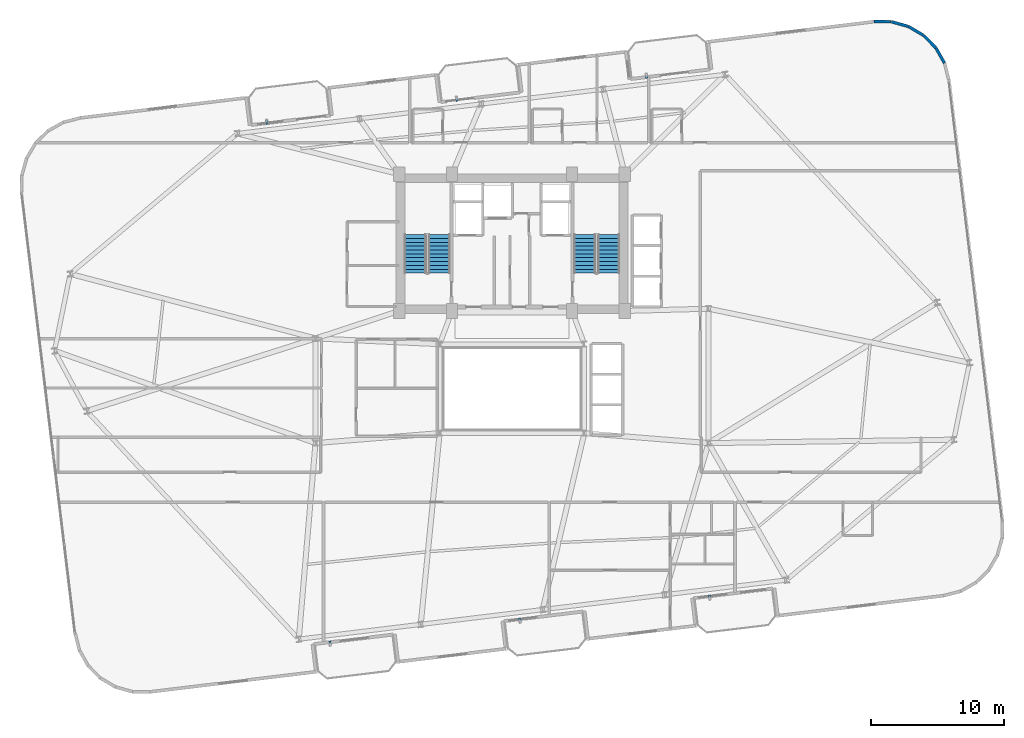
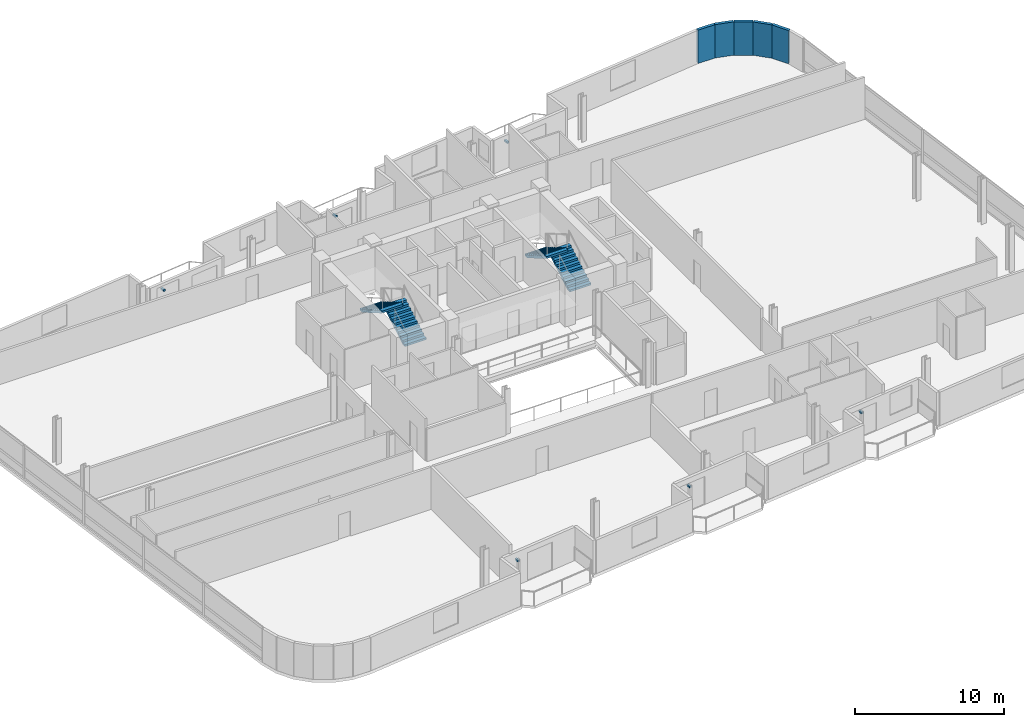
# One storey, part 18 of 22: 6 discrete accessories, 5 walls, 4 stair flights, 2 elements without a shape of their own.
"""IFC4 building model written with IfcOpenShell, lengths in metres."""

import ifcopenshell
import ifcopenshell.guid

model = None  # the IFC model being written
_history = None  # IfcOwnerHistory: only IFC2X3 demands one
_inside = {}  # id of a spatial element -> (the spatial element, [elements in it])
_under = {}  # id of a project, library or spatial element -> (it, [spatial elements below it])
_declared = {}  # id of a project -> (the project, [libraries it declares])
_typed = {}  # id of a type object -> (the type object, [elements of that type])
_made_of = {}  # id of a material, layer set ... -> (it, [elements and type objects made of it])


def new_model(schema):
    """Start an empty IFC model of exactly this schema.

    Asked for "IFC4X3", IfcOpenShell would pick the latest addendum, in which some entities
    have other attributes; the version numbers below select the first issue.
    IFC2X3 requires an IfcOwnerHistory on every rooted entity: one is made here for all.
    """
    global model, _history
    if schema == "IFC4X3":
        model = ifcopenshell.file(schema_version=(4, 3, 0, 0))
    else:
        model = ifcopenshell.file(schema=schema)
    _inside.clear()
    _under.clear()
    _declared.clear()
    _typed.clear()
    _made_of.clear()
    _history = None
    if model.schema == "IFC2X3":
        org = make("IfcOrganization", Name="unknown")
        user = make(
            "IfcPersonAndOrganization",
            ThePerson=make("IfcPerson", FamilyName="unknown"),
            TheOrganization=org,
        )
        app = make(
            "IfcApplication",
            ApplicationDeveloper=org,
            Version="unknown",
            ApplicationFullName="unknown",
            ApplicationIdentifier="unknown",
        )
        _history = make(
            "IfcOwnerHistory",
            OwningUser=user,
            OwningApplication=app,
            ChangeAction="ADDED",
            CreationDate=0,
        )
    return model


def make(cls, **values):
    """One entity of the class cls with the attributes given. An attribute that is None is left unset."""
    return model.create_entity(
        cls, **{name: value for name, value in values.items() if value is not None}
    )


def rooted(cls, **values):
    """An entity with a GlobalId (a new one), such as an element, a storey or a relation."""
    return make(cls, GlobalId=ifcopenshell.guid.new(), OwnerHistory=_history, **values)


def si_unit(unit_type, name, prefix=None):
    """IfcSIUnit, for example si_unit("LENGTHUNIT", "METRE", prefix="MILLI")."""
    return make("IfcSIUnit", UnitType=unit_type, Prefix=prefix, Name=name)


def assignment(units):
    """IfcUnitAssignment: the units of a project."""
    return None if units is None else make("IfcUnitAssignment", Units=units)


def point(xyz):
    """IfcCartesianPoint."""
    return None if xyz is None else make("IfcCartesianPoint", Coordinates=xyz)


def direction(xyz):
    """IfcDirection."""
    return None if xyz is None else make("IfcDirection", DirectionRatios=xyz)


def frame(location, z_axis=None, x_axis=None):
    """IfcAxis2Placement3D, a coordinate frame: its origin and axes. An axis left out is left unset."""
    return make(
        "IfcAxis2Placement3D",
        Location=point(location),
        Axis=direction(z_axis),
        RefDirection=direction(x_axis),
    )


def frame_2d(location, x_axis=None):
    """IfcAxis2Placement2D, a coordinate frame in the plane: its origin and x axis."""
    return make(
        "IfcAxis2Placement2D", Location=point(location), RefDirection=direction(x_axis)
    )


def origin():
    """The frame at (0, 0, 0) with its axes left unset."""
    return frame((0.0, 0.0, 0.0))


def origin_2d():
    """The frame at (0, 0) in the plane with its x axis left unset."""
    return frame_2d((0.0, 0.0))


def place(relative_to, where):
    """IfcLocalPlacement: puts the frame where relative to a parent placement (None: the world)."""
    return make(
        "IfcLocalPlacement", PlacementRelTo=relative_to, RelativePlacement=where
    )


def context(
    kind, dimensions, precision=None, world=None, true_north=None, identifier=None
):
    """IfcGeometricRepresentationContext, for example the 3D "Model" context."""
    return make(
        "IfcGeometricRepresentationContext",
        ContextIdentifier=identifier,
        ContextType=kind,
        CoordinateSpaceDimension=dimensions,
        Precision=precision,
        WorldCoordinateSystem=world,
        TrueNorth=true_north,
    )


def subcontext(parent, identifier, kind, view, scale=None):
    """IfcGeometricRepresentationSubContext, for example "Body" below "Model"."""
    return make(
        "IfcGeometricRepresentationSubContext",
        ContextIdentifier=identifier,
        ContextType=kind,
        ParentContext=parent,
        TargetScale=scale,
        TargetView=view,
    )


def project(units=None, contexts=None):
    """IfcProject with its units and contexts."""
    return rooted(
        "IfcProject",
        Name="project",
        RepresentationContexts=contexts,
        UnitsInContext=assignment(units),
    )


def spatial(cls, under=None, at=None, **own):
    """A site, building, storey or space (cls), placed at a placement, below another one or the project."""
    s = rooted(cls, ObjectPlacement=at, **own)
    if under is not None:
        _under.setdefault(under.id(), (under, []))[1].append(s)
    return s


def polyline(points):
    """IfcPolyline through the points."""
    return make("IfcPolyline", Points=[point(p) for p in points])


def profile(cls, at=None, kind="AREA", **sizes):
    """A parametric profile (cls). Its sizes go by their IFC names, for example OverallWidth=200.0."""
    return make(cls, ProfileType=kind, Position=at, **sizes)


def rectangle(**sizes):
    """IfcRectangleProfileDef."""
    return profile("IfcRectangleProfileDef", **sizes)


def outline(outer, holes=None, kind="AREA"):
    """IfcArbitraryClosedProfileDef: a profile drawn as a closed curve; with holes, ...WithVoids."""
    if holes is None:
        return make("IfcArbitraryClosedProfileDef", ProfileType=kind, OuterCurve=outer)
    return make(
        "IfcArbitraryProfileDefWithVoids",
        ProfileType=kind,
        OuterCurve=outer,
        InnerCurves=holes,
    )


def extrude(swept, where, along, depth):
    """IfcExtrudedAreaSolid: the profile swept, set in the frame where, extruded along a direction by depth."""
    return make(
        "IfcExtrudedAreaSolid",
        SweptArea=swept,
        Position=where,
        ExtrudedDirection=direction(along),
        Depth=depth,
    )


def shape(context_of_items, identifier, shape_type, items):
    """IfcShapeRepresentation: the items that make up one representation, for example the "Body"."""
    return make(
        "IfcShapeRepresentation",
        ContextOfItems=context_of_items,
        RepresentationIdentifier=identifier,
        RepresentationType=shape_type,
        Items=items,
    )


def source(mapping_origin, context_of_items, identifier, shape_type, items):
    """IfcRepresentationMap: a shape defined once, which mapped items show again and again."""
    return make(
        "IfcRepresentationMap",
        MappingOrigin=mapping_origin,
        MappedRepresentation=shape(context_of_items, identifier, shape_type, items),
    )


def transform(
    local_origin,
    x_axis=None,
    y_axis=None,
    z_axis=None,
    scale=None,
    scale2=None,
    scale3=None,
    uniform=True,
):
    """IfcCartesianTransformationOperator3D, or its non-uniform kind. x_axis, y_axis, z_axis: its Axis1, 2, 3."""
    if uniform:
        return make(
            "IfcCartesianTransformationOperator3D",
            Axis1=direction(x_axis),
            Axis2=direction(y_axis),
            LocalOrigin=point(local_origin),
            Scale=scale,
            Axis3=direction(z_axis),
        )
    return make(
        "IfcCartesianTransformationOperator3DnonUniform",
        Axis1=direction(x_axis),
        Axis2=direction(y_axis),
        LocalOrigin=point(local_origin),
        Scale=scale,
        Axis3=direction(z_axis),
        Scale2=scale2,
        Scale3=scale3,
    )


def mapped(mapping_source, mapping_target):
    """IfcMappedItem: shows the shape of a source again, moved by a transform."""
    return make(
        "IfcMappedItem", MappingSource=mapping_source, MappingTarget=mapping_target
    )


def material(Name=None, Category=None):
    """IfcMaterial."""
    return make("IfcMaterial", Name=Name, Category=Category)


def layer(
    of_material, thickness, ventilated=None, Name=None, Category=None, Priority=None
):
    """IfcMaterialLayer: one layer of a wall or slab, of a material (None: an air gap)."""
    return make(
        "IfcMaterialLayer",
        Material=of_material,
        LayerThickness=thickness,
        IsVentilated=ventilated,
        Name=Name,
        Category=Category,
        Priority=Priority,
    )


def layer_set(layers, Name=None):
    """IfcMaterialLayerSet."""
    return make("IfcMaterialLayerSet", MaterialLayers=layers, LayerSetName=Name)


def made_of(thing, what):
    """Note that an element or type object is made of a material, layer set ...; save() writes the relation."""
    if what is not None:
        _made_of.setdefault(what.id(), (what, []))[1].append(thing)
    return thing


def type_object(cls, material=None, **own):
    """A type object (cls), such as IfcWallType, which elements share."""
    return made_of(rooted(cls, **own), material)


def element(
    cls,
    number,
    at=None,
    inside=None,
    cuts=None,
    type_object=None,
    material=None,
    context=None,
    identifier="Body",
    shape_type=None,
    held_by="IfcProductDefinitionShape",
    body=None,
    shapes=None,
    **own,
):
    """One element of the class cls, such as IfcWall. Its Tag is "e" and its number.

    at: its placement. inside: the storey or other place that contains it. cuts: it is an
    opening in that element (IfcRelVoidsElement). A single representation is given by context,
    identifier, shape_type and body (its items); several are given by shapes. held_by: the class
    of the entity that holds the representations. save() writes the other relations.
    """
    e = rooted(cls, Tag="e%d" % number, ObjectPlacement=at, **own)
    if body is not None:
        shapes = [shape(context, identifier, shape_type, body)]
    if shapes is not None:
        e.Representation = make(held_by, Representations=shapes)
    if inside is not None:
        _inside.setdefault(inside.id(), (inside, []))[1].append(e)
    if cuts is not None:
        rooted(
            "IfcRelVoidsElement", RelatingBuildingElement=cuts, RelatedOpeningElement=e
        )
    if type_object is not None:
        _typed.setdefault(type_object.id(), (type_object, []))[1].append(e)
    return made_of(e, material)


def aggregate(whole, parts):
    """IfcRelAggregates: a whole, such as a stair, and the parts it consists of."""
    return rooted("IfcRelAggregates", RelatingObject=whole, RelatedObjects=parts)


def save(model, path):
    """Write the relations noted so far, then the file.

    IfcRelAggregates (storeys below a building ...), IfcRelContainedInSpatialStructure (elements
    in a storey), IfcRelDefinesByType, IfcRelAssociatesMaterial and IfcRelDeclares: one each for
    every whole, place, type object, material and project.
    """
    for whole, parts in _under.values():
        aggregate(whole, parts)
    for where, things in _inside.values():
        rooted(
            "IfcRelContainedInSpatialStructure",
            RelatedElements=things,
            RelatingStructure=where,
        )
    for kind, things in _typed.values():
        rooted("IfcRelDefinesByType", RelatedObjects=things, RelatingType=kind)
    for what, things in _made_of.values():
        rooted("IfcRelAssociatesMaterial", RelatedObjects=things, RelatingMaterial=what)
    for by, libraries in _declared.values():
        rooted("IfcRelDeclares", RelatingContext=by, RelatedDefinitions=libraries)
    model.write(path)


model = new_model("IFC4")

# Units and contexts
model_context = context("Model", 3, precision=1e-05, world=origin(), true_north=direction((0.0, 1.0)))
body_context = subcontext(model_context, "Body", "Model", "MODEL_VIEW")
ifc_project = project(units=[si_unit("LENGTHUNIT", "METRE"), si_unit("AREAUNIT", "SQUARE_METRE"), si_unit("VOLUMEUNIT", "CUBIC_METRE"), si_unit("PLANEANGLEUNIT", "RADIAN"), si_unit("MASSUNIT", "GRAM", prefix="KILO")], contexts=[model_context])

# Site, building, storey
site_placement = place(None, origin())
site = spatial("IfcSite", under=ifc_project, at=site_placement, CompositionType="ELEMENT")
building_placement = place(site_placement, origin())
building = spatial("IfcBuilding", under=site, at=building_placement, Name="Varnelok Gate Tower", CompositionType="ELEMENT")
storey_placement = place(building_placement, frame((0.0, 0.0, 178.300048828125)))
storey = spatial("IfcBuildingStorey", under=building, at=storey_placement, Name="L45", CompositionType="ELEMENT", Elevation=178.300048828125)

# Walls
ifc_material_1 = material(Name="Concrete C45/55", Category="concrete")
ifc_layer = layer(ifc_material_1, 0.219970703125)
ifc_layer_set = layer_set([ifc_layer], Name="Concrete C45/55")
wall_type = type_object("IfcWallType", Name="EW-BALC-220", PredefinedType="SOLIDWALL", material=ifc_layer_set)
wall_1_placement = place(storey_placement, frame((71.771240234375, 47.418212890625, 0.0), z_axis=(0.0, 0.0, 1.0), x_axis=(-0.491098509465, 0.871104043155, 0.0)))
element("IfcWall", 1, at=wall_1_placement, inside=storey, type_object=wall_type, Name="L45 Perimeter Facade Closure Wall 24", PredefinedType="SOLIDWALL", context=body_context, shape_type="SweptSolid", body=[
    extrude(rectangle(XDim=1.301025390625, YDim=0.219970703125, at=frame_2d((0.650390625, 0.0))), origin(), (0.0, 0.0, 1.0), 2.72998046875),
])
wall_2_placement = place(storey_placement, frame((71.114990234375, 48.5693359375, 0.0), z_axis=(0.0, 0.0, 1.0), x_axis=(-0.699844331926, 0.714295394827, 0.0)))
element("IfcWall", 2, at=wall_2_placement, inside=storey, type_object=wall_type, Name="L45 Perimeter Facade Closure Wall 25", PredefinedType="SOLIDWALL", context=body_context, shape_type="SweptSolid", body=[
    extrude(rectangle(XDim=1.30078125, YDim=0.219970703125, at=frame_2d((0.650390625, 0.0))), origin(), (0.0, 0.0, 1.0), 2.72998046875),
])
wall_3_placement = place(storey_placement, frame((70.18310546875, 49.51123046875, 0.0), z_axis=(0.0, 0.0, 1.0), x_axis=(-0.860933999601, 0.508716668029, 0.0)))
element("IfcWall", 3, at=wall_3_placement, inside=storey, type_object=wall_type, Name="L45 Perimeter Facade Closure Wall 26", PredefinedType="SOLIDWALL", context=body_context, shape_type="SweptSolid", body=[
    extrude(rectangle(XDim=1.301025390625, YDim=0.219970703125, at=frame_2d((0.650390625, 0.0))), origin(), (0.0, 0.0, 1.0), 2.72998046875),
])
wall_4_placement = place(storey_placement, frame((69.0390625, 50.179931640625, 0.0), z_axis=(0.0, 0.0, 1.0), x_axis=(-0.963205341366, 0.26876657226, 0.0)))
element("IfcWall", 4, at=wall_4_placement, inside=storey, type_object=wall_type, Name="L45 Perimeter Facade Closure Wall 27", PredefinedType="SOLIDWALL", context=body_context, shape_type="SweptSolid", body=[
    extrude(rectangle(XDim=1.30078125, YDim=0.219970703125, at=frame_2d((0.650390625, 0.0))), origin(), (0.0, 0.0, 1.0), 2.72998046875),
])
wall_5_placement = place(storey_placement, frame((67.760986328125, 50.52978515625, 0.0), z_axis=(0.0, 0.0, 1.0), x_axis=(-0.999947358106, 0.010260653861, 0.0)))
element("IfcWall", 5, at=wall_5_placement, inside=storey, type_object=wall_type, Name="L45 Perimeter Facade Closure Wall 28", PredefinedType="SOLIDWALL", context=body_context, shape_type="SweptSolid", body=[
    extrude(rectangle(XDim=1.30859375, YDim=0.219970703125, at=frame_2d((0.654296875, 0.0))), origin(), (0.0, 0.0, 1.0), 2.72998046875),
])

# Stair, stair flights
ifc_material_2 = material(Name="Concrete C50/60", Category="concrete")
stair_type = type_object("IfcStairType", Name="STR-CORE-1650", PredefinedType="HALF_TURN_STAIR", material=ifc_material_2)
stair_1_placement = place(storey_placement, origin())
stair_1 = element("IfcStair", 6, at=stair_1_placement, inside=storey, type_object=stair_type, Name="L45 Exit Stair ST-1", PredefinedType="HALF_TURN_STAIR")
stair_flight_type = type_object("IfcStairFlightType", Name="SFL-CORE-1650", PredefinedType="STRAIGHT", material=ifc_material_2)
stair_flight_1_placement = place(storey_placement, frame((33.72509765625, 31.60009765625, 0.0), z_axis=(0.0, 0.0, 1.0), x_axis=(0.0, 1.0, 0.0)))
stair_flight_1 = element("IfcStairFlight", 7, at=stair_flight_1_placement, type_object=stair_flight_type, Name="ST-1 flight 1", NumberOfRisers=11, NumberOfTreads=10, PredefinedType="STRAIGHT", RiserHeight=0.168181818, TreadLength=0.29, context=body_context, shape_type="SweptSolid", body=[
    extrude(outline(polyline([(0.0, 0.0), (0.0, 0.168212890625), (0.2900390625, 0.168212890625), (0.2900390625, 0.33642578125), (0.580078125, 0.33642578125), (0.580078125, 0.504638671875), (0.8701171875, 0.504638671875), (0.8701171875, 0.672607421875), (1.159912109375, 0.672607421875), (1.159912109375, 0.8408203125), (1.449951171875, 0.8408203125), (1.449951171875, 1.009033203125), (1.739990234375, 1.009033203125), (1.739990234375, 1.17724609375), (2.030029296875, 1.17724609375), (2.030029296875, 1.345458984375), (2.320068359375, 1.345458984375), (2.320068359375, 1.513671875), (2.610107421875, 1.513671875), (2.610107421875, 1.681884765625), (2.89990234375, 1.681884765625), (2.89990234375, 1.85009765625), (2.89990234375, 1.508544921875), (0.298828125, 0.0), (0.0, 0.0)])), frame((0.0, 0.824951171875, 0.0), z_axis=(0.0, -1.0, 0.0), x_axis=(1.0, 0.0, 0.0)), (0.0, 0.0, 1.0), 1.64990234375),
])
stair_flight_2_placement = place(storey_placement, frame((31.925048828125, 34.5, 1.849853515625), z_axis=(0.0, 0.0, 1.0), x_axis=(0.0, -1.0, 0.0)))
stair_flight_2 = element("IfcStairFlight", 8, at=stair_flight_2_placement, type_object=stair_flight_type, Name="ST-1 flight 2", NumberOfRisers=11, NumberOfTreads=10, PredefinedType="STRAIGHT", RiserHeight=0.168181818, TreadLength=0.29, context=body_context, shape_type="SweptSolid", body=[
    extrude(outline(polyline([(0.0, 0.0), (0.0, 0.168212890625), (0.2900390625, 0.168212890625), (0.2900390625, 0.33642578125), (0.580078125, 0.33642578125), (0.580078125, 0.504638671875), (0.8701171875, 0.504638671875), (0.8701171875, 0.672607421875), (1.159912109375, 0.672607421875), (1.159912109375, 0.8408203125), (1.449951171875, 0.8408203125), (1.449951171875, 1.009033203125), (1.739990234375, 1.009033203125), (1.739990234375, 1.17724609375), (2.030029296875, 1.17724609375), (2.030029296875, 1.345458984375), (2.320068359375, 1.345458984375), (2.320068359375, 1.513671875), (2.610107421875, 1.513671875), (2.610107421875, 1.681884765625), (2.89990234375, 1.681884765625), (2.89990234375, 1.85009765625), (2.89990234375, 1.508544921875), (0.298828125, 0.0), (0.0, 0.0)])), frame((0.0, 0.824951171875, 0.0), z_axis=(0.0, -1.0, 0.0), x_axis=(1.0, 0.0, 0.0)), (0.0, 0.0, 1.0), 1.64990234375),
])
aggregate(stair_1, [stair_flight_1, stair_flight_2])

stair_2_placement = place(storey_placement, origin())
stair_2 = element("IfcStair", 9, at=stair_2_placement, inside=storey, type_object=stair_type, Name="L45 Exit Stair ST-2", PredefinedType="HALF_TURN_STAIR")
stair_flight_3_placement = place(storey_placement, frame((46.47509765625, 31.60009765625, 0.0), z_axis=(0.0, 0.0, 1.0), x_axis=(0.0, 1.0, 0.0)))
stair_flight_3 = element("IfcStairFlight", 10, at=stair_flight_3_placement, type_object=stair_flight_type, Name="ST-2 flight 1", NumberOfRisers=11, NumberOfTreads=10, PredefinedType="STRAIGHT", RiserHeight=0.168181818, TreadLength=0.29, context=body_context, shape_type="SweptSolid", body=[
    extrude(outline(polyline([(0.0, 0.0), (0.0, 0.168212890625), (0.2900390625, 0.168212890625), (0.2900390625, 0.33642578125), (0.580078125, 0.33642578125), (0.580078125, 0.504638671875), (0.8701171875, 0.504638671875), (0.8701171875, 0.672607421875), (1.159912109375, 0.672607421875), (1.159912109375, 0.8408203125), (1.449951171875, 0.8408203125), (1.449951171875, 1.009033203125), (1.739990234375, 1.009033203125), (1.739990234375, 1.17724609375), (2.030029296875, 1.17724609375), (2.030029296875, 1.345458984375), (2.320068359375, 1.345458984375), (2.320068359375, 1.513671875), (2.610107421875, 1.513671875), (2.610107421875, 1.681884765625), (2.89990234375, 1.681884765625), (2.89990234375, 1.85009765625), (2.89990234375, 1.508544921875), (0.298828125, 0.0), (0.0, 0.0)])), frame((0.0, 0.824951171875, 0.0), z_axis=(0.0, -1.0, 0.0), x_axis=(1.0, 0.0, 0.0)), (0.0, 0.0, 1.0), 1.64990234375),
])
stair_flight_4_placement = place(storey_placement, frame((44.675048828125, 34.5, 1.849853515625), z_axis=(0.0, 0.0, 1.0), x_axis=(0.0, -1.0, 0.0)))
stair_flight_4 = element("IfcStairFlight", 11, at=stair_flight_4_placement, type_object=stair_flight_type, Name="ST-2 flight 2", NumberOfRisers=11, NumberOfTreads=10, PredefinedType="STRAIGHT", RiserHeight=0.168181818, TreadLength=0.29, context=body_context, shape_type="SweptSolid", body=[
    extrude(outline(polyline([(0.0, 0.0), (0.0, 0.168212890625), (0.2900390625, 0.168212890625), (0.2900390625, 0.33642578125), (0.580078125, 0.33642578125), (0.580078125, 0.504638671875), (0.8701171875, 0.504638671875), (0.8701171875, 0.672607421875), (1.159912109375, 0.672607421875), (1.159912109375, 0.8408203125), (1.449951171875, 0.8408203125), (1.449951171875, 1.009033203125), (1.739990234375, 1.009033203125), (1.739990234375, 1.17724609375), (2.030029296875, 1.17724609375), (2.030029296875, 1.345458984375), (2.320068359375, 1.345458984375), (2.320068359375, 1.513671875), (2.610107421875, 1.513671875), (2.610107421875, 1.681884765625), (2.89990234375, 1.681884765625), (2.89990234375, 1.85009765625), (2.89990234375, 1.508544921875), (0.298828125, 0.0), (0.0, 0.0)])), frame((0.0, 0.824951171875, 0.0), z_axis=(0.0, -1.0, 0.0), x_axis=(1.0, 0.0, 0.0)), (0.0, 0.0, 1.0), 1.64990234375),
])
aggregate(stair_2, [stair_flight_3, stair_flight_4])

# Discrete accessories
ifc_material_3 = material(Name="Structural Steel ASTM A500 Grade C", Category="steel")
discrete_accessory_type = type_object("IfcDiscreteAccessoryType", Name="ACC-BAGUETTE-BRK", PredefinedType="BRACKET", material=ifc_material_3)
shared_shape = source(origin(), body_context, "Body", "SweptSolid", [
    extrude(rectangle(XDim=0.159912109375, YDim=0.340087890625, at=origin_2d()), origin(), (0.0, 0.0, 1.0), 0.139892578125),
])
for number, where, z_axis, x_axis, name in (
    (12, (25.4970703125, 3.72412109375, 1.97998046875), (0.0, 0.0, 1.0), (0.992732158755, 0.12034475881, 0.0), "L45 Terracotta Baguette Bracket 1.1"),
    (13, (39.792236328125, 5.45703125, 1.97998046875), (0.0, 0.0, 1.0), (0.992732158755, 0.12034475881, 0.0), "L45 Terracotta Baguette Bracket 2.1"),
    (14, (54.087646484375, 7.18994140625, 1.97998046875), (0.0, 0.0, 1.0), (0.992732158755, 0.12034475881, 0.0), "L45 Terracotta Baguette Bracket 3.1"),
    (15, (20.738525390625, 42.976806640625, 1.97998046875), (0.0, 0.0, 1.0), (0.992732158755, 0.12034475881, 0.0), "L45 Terracotta Baguette Bracket 4.1"),
    (16, (35.033935546875, 44.709716796875, 1.97998046875), (0.0, 0.0, 1.0), (0.992732158755, 0.12034475881, 0.0), "L45 Terracotta Baguette Bracket 5.1"),
    (17, (49.3291015625, 46.442626953125, 1.97998046875), (0.0, 0.0, 1.0), (0.992732158755, 0.12034475881, 0.0), "L45 Terracotta Baguette Bracket 6.1"),
):
    element("IfcDiscreteAccessory", number, at=place(storey_placement, frame(where, z_axis=z_axis, x_axis=x_axis)), inside=storey, type_object=discrete_accessory_type, Name=name, PredefinedType="BRACKET", context=body_context, shape_type="MappedRepresentation", body=[
        mapped(shared_shape, transform((0.0, 0.0, 0.0), scale=1.0)),
    ])

save(model, "model.ifc")
